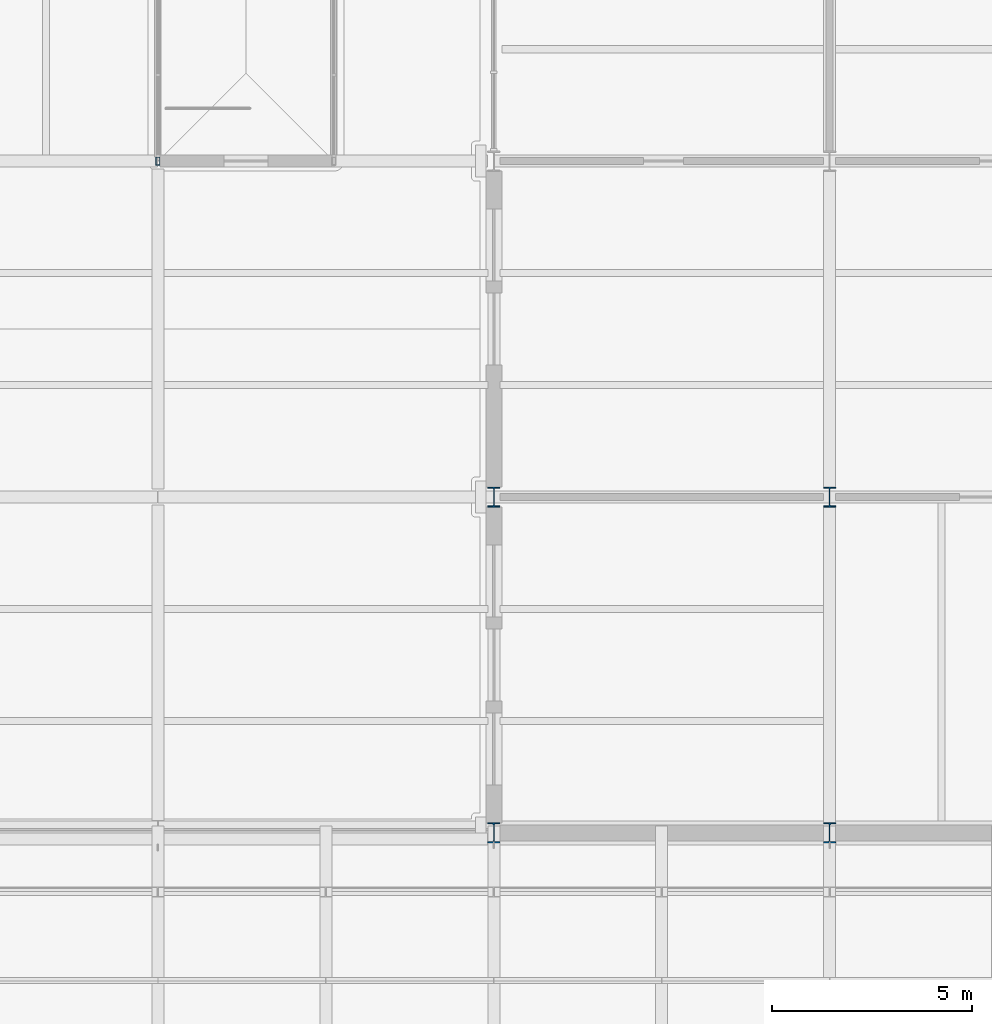
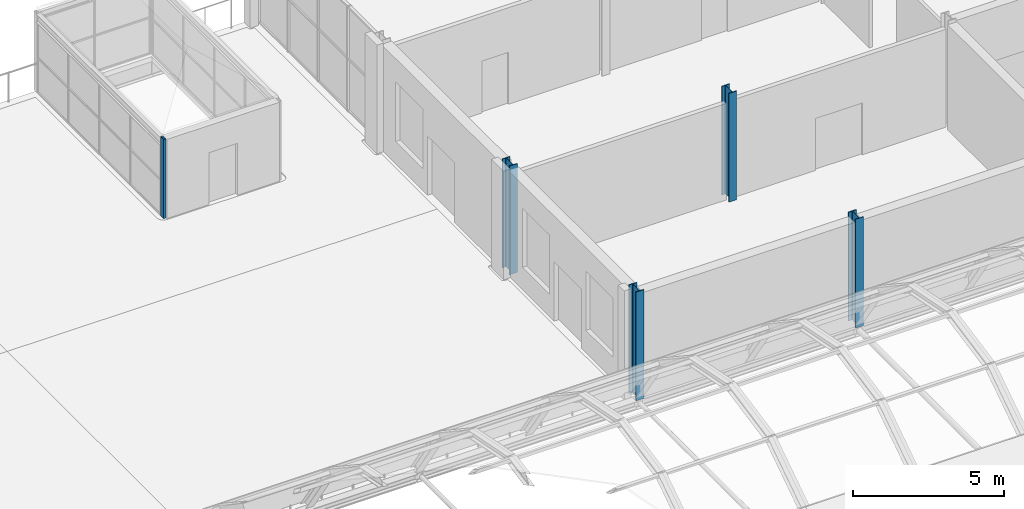
# One storey, part 8 of 58: 5 columns.
"""IFC4 building model written with IfcOpenShell, lengths in metres."""

from ifc_helpers import new_model, si_unit, direction, frame, origin, origin_2d, place, context, subcontext, project, spatial, hollow_rectangle, i_section, extrude, material, material_profile, profile_set, type_object, element, save


model = new_model("IFC4")

# Units and contexts
model_context = context("Model", 3, precision=1e-05, world=origin(), true_north=direction((0.0, 1.0)))
body_context = subcontext(model_context, "Body", "Model", "MODEL_VIEW")
ifc_project = project(units=[si_unit("LENGTHUNIT", "METRE"), si_unit("AREAUNIT", "SQUARE_METRE"), si_unit("VOLUMEUNIT", "CUBIC_METRE"), si_unit("PLANEANGLEUNIT", "RADIAN"), si_unit("MASSUNIT", "GRAM", prefix="KILO")], contexts=[model_context])

# Site, building, storey
site_placement = place(None, origin())
site = spatial("IfcSite", under=ifc_project, at=site_placement, CompositionType="ELEMENT")
building_placement = place(site_placement, origin())
building = spatial("IfcBuilding", under=site, at=building_placement, Name="Galleria Vessillo Department Store", CompositionType="ELEMENT")
storey_placement = place(building_placement, frame((0.0, 0.0, 31.199951171875)))
storey = spatial("IfcBuildingStorey", under=building, at=storey_placement, Name="L06", CompositionType="ELEMENT", Elevation=31.199951171875)

# Columns
ifc_material_1 = material(Name="Steel S355 J2", Category="steel")
ifc_material_profile_1 = material_profile(ifc_material_1, i_section(OverallWidth=0.300048828125, OverallDepth=0.5, WebThickness=0.014404296875, FlangeThickness=0.028076171875, FilletRadius=0.027099609375, at=origin_2d()), Name="HEB 500")
ifc_profile_set_1 = profile_set([ifc_material_profile_1], Name="Steel S355 J2")
column_type_1 = type_object("IfcColumnType", Name="Steel column HEB 500 CT3", PredefinedType="COLUMN", material=ifc_profile_set_1)
for number, where, z_axis, x_axis, name in (
    (1, (84.0, 37.800048828125, 0.0), (0.0, 0.0, 1.0), (1.0, 0.0, 0.0), "S-COL-L06-11-E"),
    (2, (84.0, 46.199951171875, 0.0), (0.0, 0.0, 1.0), (1.0, 0.0, 0.0), "S-COL-L06-11-F"),
    (3, (92.39990234375, 37.800048828125, 0.0), (0.0, 0.0, 1.0), (1.0, 0.0, 0.0), "S-COL-L06-12-E"),
    (4, (92.39990234375, 46.199951171875, 0.0), (0.0, 0.0, 1.0), (1.0, 0.0, 0.0), "S-COL-L06-12-F"),
):
    element("IfcColumn", number, at=place(storey_placement, frame(where, z_axis=z_axis, x_axis=x_axis)), inside=storey, type_object=column_type_1, Name=name, PredefinedType="COLUMN", context=body_context, shape_type="SweptSolid", body=[
        extrude(i_section(OverallWidth=0.300048828125, OverallDepth=0.5, WebThickness=0.014404296875, FlangeThickness=0.028076171875, FilletRadius=0.027099609375, at=origin_2d()), origin(), (0.0, 0.0, 1.0), 4.400146484375),
    ])
ifc_material_2 = material(Name="Steel S355 J2", Category="steel")
ifc_material_profile_2 = material_profile(ifc_material_2, hollow_rectangle(XDim=0.10009765625, YDim=0.199951171875, WallThickness=0.008056640625, at=origin_2d()), Name="RHS 200x100x8")
ifc_profile_set_2 = profile_set([ifc_material_profile_2], Name="Steel S355 J2")
column_type_2 = type_object("IfcColumnType", Name="Steel post RHS 200x100x8", PredefinedType="COLUMN", material=ifc_profile_set_2)
column_placement = place(storey_placement, frame((75.60009765625, 54.60009765625, 0.0), z_axis=(0.0, 0.0, 1.0), x_axis=(1.0, 0.0, 0.0)))
element("IfcColumn", 5, at=column_placement, inside=storey, type_object=column_type_2, Name="S-PP-ST6-3", PredefinedType="COLUMN", context=body_context, shape_type="SweptSolid", body=[
    extrude(hollow_rectangle(XDim=0.10009765625, YDim=0.199951171875, WallThickness=0.008056640625, at=origin_2d()), origin(), (0.0, 0.0, 1.0), 3.2001953125),
])

save(model, "model.ifc")
